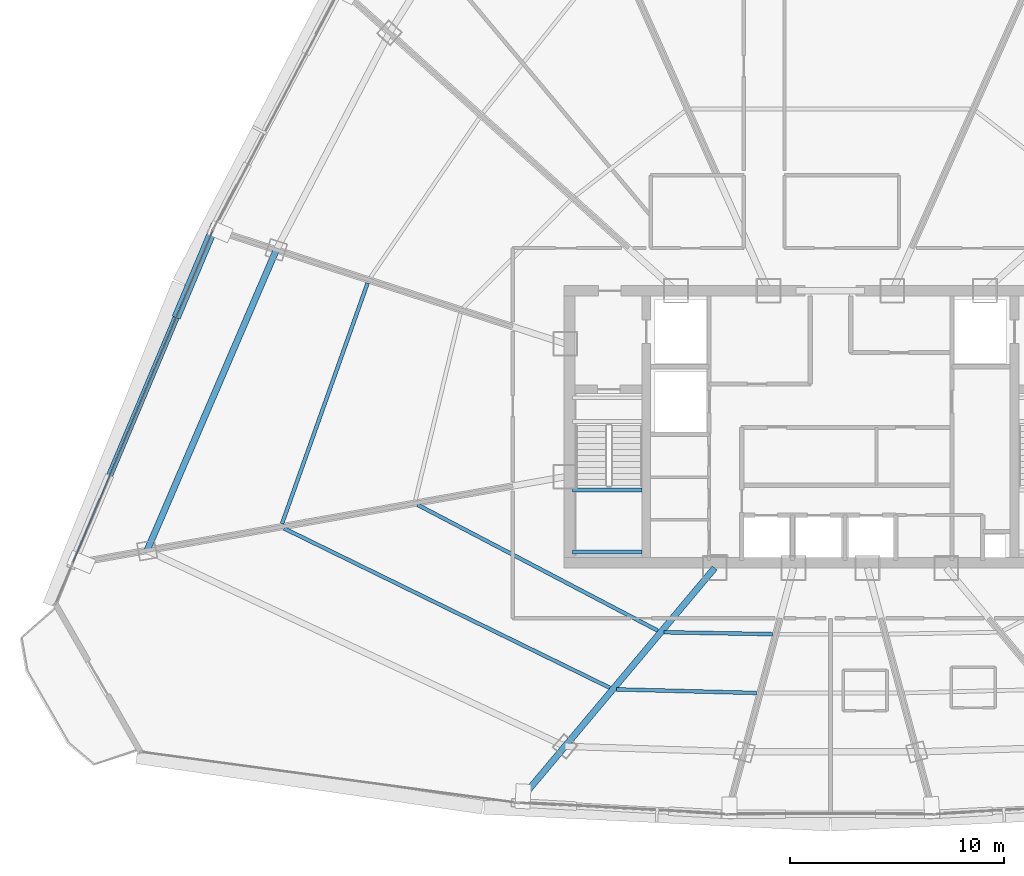
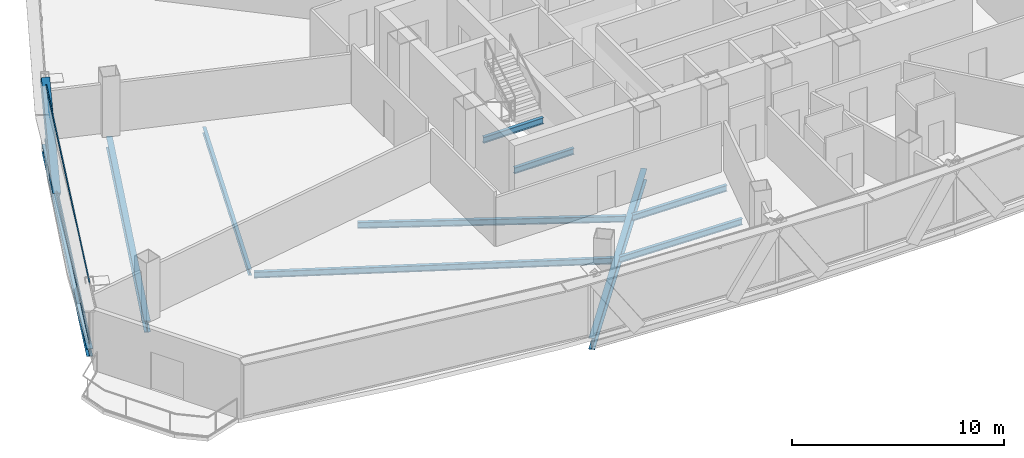
# One storey, part 7 of 35: 10 beams, 3 members, 1 element without a shape of its own.
"""IFC4 building model written with IfcOpenShell, lengths in metres."""

from ifc_helpers import new_model, si_unit, direction, frame, origin, origin_2d, place, context, subcontext, project, spatial, hollow_rectangle, i_section, extrude, source, transform, mapped, material, layer, layer_set, material_profile, profile_set, type_object, element, aggregate, save


model = new_model("IFC4")

# Units and contexts
model_context = context("Model", 3, precision=1e-05, world=origin(), true_north=direction((0.0, 1.0)))
body_context = subcontext(model_context, "Body", "Model", "MODEL_VIEW")
ifc_project = project(units=[si_unit("LENGTHUNIT", "METRE"), si_unit("AREAUNIT", "SQUARE_METRE"), si_unit("VOLUMEUNIT", "CUBIC_METRE"), si_unit("PLANEANGLEUNIT", "RADIAN"), si_unit("MASSUNIT", "GRAM", prefix="KILO"), si_unit("THERMODYNAMICTEMPERATUREUNIT", "KELVIN"), si_unit("POWERUNIT", "WATT")], contexts=[model_context])

# Site, building, storey
site_placement = place(None, origin())
site = spatial("IfcSite", under=ifc_project, at=site_placement, CompositionType="ELEMENT")
building_placement = place(site_placement, origin())
building = spatial("IfcBuilding", under=site, at=building_placement, Name="Yunzhuo Pagoda Commons", CompositionType="ELEMENT")
storey_placement = place(building_placement, frame((0.0, 0.0, 237.070068359375)))
storey = spatial("IfcBuildingStorey", under=building, at=storey_placement, Name="L59", CompositionType="ELEMENT", Elevation=237.070068359375)

# Beams
ifc_material_1 = material(Name="Structural steel Q355B", Category="steel")
ifc_material_profile_1 = material_profile(ifc_material_1, i_section(OverallWidth=0.175048828125, OverallDepth=0.35009765625, WebThickness=0.007080078125, FlangeThickness=0.010986328125, at=origin_2d()), Name="Structural steel Q355B")
ifc_profile_set_1 = profile_set([ifc_material_profile_1], Name="Structural steel Q355B")
beam_type_1 = type_object("IfcBeamType", Name="B-JS2 Joist HN 350x175x7x11", PredefinedType="JOIST", material=ifc_profile_set_1)
shared_shape_1 = source(origin(), body_context, "Body", "SweptSolid", [
    extrude(i_section(OverallWidth=0.175048828125, OverallDepth=0.35009765625, WebThickness=0.007080078125, FlangeThickness=0.010986328125, at=origin_2d()), origin(), (0.0, 0.0, 1.0), 3.25),
])
for number, where, z_axis, x_axis, name in (
    (1, (35.949951171875, 28.0, 1.489990234375), (1.0, 0.0, 0.0), (0.0, 1.0, 0.0), "L59 ST1 landing support beam 65A"),
    (2, (35.949951171875, 30.89990234375, 1.489990234375), (1.0, 0.0, 0.0), (0.0, 1.0, 0.0), "L59 ST1 landing support beam 65B"),
):
    element("IfcBeam", number, at=place(storey_placement, frame(where, z_axis=z_axis, x_axis=x_axis)), inside=storey, type_object=beam_type_1, Name=name, PredefinedType="JOIST", context=body_context, shape_type="MappedRepresentation", body=[
        mapped(shared_shape_1, transform((0.0, 0.0, 0.0), scale=1.0)),
    ])
ifc_material_profile_2 = material_profile(ifc_material_1, i_section(OverallWidth=0.300048828125, OverallDepth=0.43994140625, WebThickness=0.010986328125, FlangeThickness=0.01806640625, at=origin_2d()), Name="Structural steel Q355B")
ifc_profile_set_2 = profile_set([ifc_material_profile_2], Name="Structural steel Q355B")
beam_type_2 = type_object("IfcBeamType", Name="B-SP2 Beam HM 440x300x11x18", PredefinedType="BEAM", material=ifc_profile_set_2)
shared_shape_2 = source(origin(), body_context, "Body", "SweptSolid", [
    extrude(i_section(OverallWidth=0.300048828125, OverallDepth=0.43994140625, WebThickness=0.010986328125, FlangeThickness=0.01806640625, at=origin_2d()), origin(), (0.0, 0.0, 1.0), 16.947021484375),
])
beam_1_placement = place(storey_placement, frame((19.15576171875, 43.072265625, -0.47998046875), z_axis=(-0.388172279694, -0.921586827856, 0.0), x_axis=(0.921586827856, -0.388172279694, 0.0)))
element("IfcBeam", 3, at=beam_1_placement, inside=storey, type_object=beam_type_2, Name="L59 facade edge spandrel beam F3.3", PredefinedType="BEAM", context=body_context, shape_type="MappedRepresentation", body=[
    mapped(shared_shape_2, transform((0.0, 0.0, 0.0), scale=1.0)),
])
ifc_material_profile_3 = material_profile(ifc_material_1, i_section(OverallWidth=0.300048828125, OverallDepth=0.64990234375, WebThickness=0.012939453125, FlangeThickness=0.02197265625, at=origin_2d()), Name="Structural steel Q355B")
ifc_profile_set_3 = profile_set([ifc_material_profile_3], Name="Structural steel Q355B")
beam_type_3 = type_object("IfcBeamType", Name="B-RG2 Beam HN 650x300x13x22", PredefinedType="BEAM", material=ifc_profile_set_3)
shared_shape_3 = source(origin(), body_context, "Body", "SweptSolid", [
    extrude(i_section(OverallWidth=0.300048828125, OverallDepth=0.64990234375, WebThickness=0.012939453125, FlangeThickness=0.02197265625, at=origin_2d()), origin(), (0.0, 0.0, 1.0), 15.287841796875),
])
beam_2_placement = place(storey_placement, frame((22.101806640625, 42.114990234375, -0.5849609375), z_axis=(-0.394815333819, -0.918760497726, 0.0), x_axis=(0.918760497726, -0.394815333819, 0.0)))
element("IfcBeam", 4, at=beam_2_placement, inside=storey, type_object=beam_type_3, Name="L59 column-ring beam 11", PredefinedType="BEAM", context=body_context, shape_type="MappedRepresentation", body=[
    mapped(shared_shape_3, transform((0.0, 0.0, 0.0), scale=1.0)),
])
shared_shape_4 = source(origin(), body_context, "Body", "SweptSolid", [
    extrude(i_section(OverallWidth=0.300048828125, OverallDepth=0.64990234375, WebThickness=0.012939453125, FlangeThickness=0.02197265625, at=origin_2d()), origin(), (0.0, 0.0, 1.0), 14.174072265625),
])
beam_3_placement = place(storey_placement, frame((33.47705078125, 16.39208984375, -0.5849609375), z_axis=(0.642786427105, 0.766045435421, 0.0), x_axis=(-0.766045435421, 0.642786427105, 0.0)))
element("IfcBeam", 5, at=beam_3_placement, inside=storey, type_object=beam_type_3, Name="L59 radial floor girder F1C1", PredefinedType="BEAM", context=body_context, shape_type="MappedRepresentation", body=[
    mapped(shared_shape_4, transform((0.0, 0.0, 0.0), scale=1.0)),
])
shared_shape_5 = source(origin(), body_context, "Body", "SweptSolid", [
    extrude(i_section(OverallWidth=0.175048828125, OverallDepth=0.35009765625, WebThickness=0.007080078125, FlangeThickness=0.010986328125, at=origin_2d()), origin(), (0.0, 0.0, 1.0), 5.0556640625),
])
beam_4_placement = place(storey_placement, frame((40.228515625, 24.24609375, -0.43505859375), z_axis=(0.999848878561, -0.017384477, 0.0), x_axis=(0.017384477, 0.999848878561, 0.0)))
element("IfcBeam", 6, at=beam_4_placement, inside=storey, type_object=beam_type_1, Name="L59 composite ring joist 1.1", PredefinedType="JOIST", context=body_context, shape_type="MappedRepresentation", body=[
    mapped(shared_shape_5, transform((0.0, 0.0, 0.0), scale=1.0)),
])
shared_shape_6 = source(origin(), body_context, "Body", "SweptSolid", [
    extrude(i_section(OverallWidth=0.175048828125, OverallDepth=0.35009765625, WebThickness=0.007080078125, FlangeThickness=0.010986328125, at=origin_2d()), origin(), (0.0, 0.0, 1.0), 6.558349609375),
])
beam_5_placement = place(storey_placement, frame((37.990234375, 21.577392578125, -0.43505859375), z_axis=(0.99966910323, -0.025723220017, 0.0), x_axis=(0.025723220017, 0.99966910323, 0.0)))
element("IfcBeam", 7, at=beam_5_placement, inside=storey, type_object=beam_type_1, Name="L59 composite ring joist 2.1", PredefinedType="JOIST", context=body_context, shape_type="MappedRepresentation", body=[
    mapped(shared_shape_6, transform((0.0, 0.0, 0.0), scale=1.0)),
])
shared_shape_7 = source(origin(), body_context, "Body", "SweptSolid", [
    extrude(i_section(OverallWidth=0.175048828125, OverallDepth=0.35009765625, WebThickness=0.007080078125, FlangeThickness=0.010986328125, at=origin_2d()), origin(), (0.0, 0.0, 1.0), 12.666259765625),
])
beam_6_placement = place(storey_placement, frame((28.70849609375, 30.19970703125, -0.43505859375), z_axis=(0.885841344078, -0.463988268302, 0.0), x_axis=(0.463988268302, 0.885841344078, 0.0)))
element("IfcBeam", 8, at=beam_6_placement, inside=storey, type_object=beam_type_1, Name="L59 composite ring joist 1.12", PredefinedType="JOIST", context=body_context, shape_type="MappedRepresentation", body=[
    mapped(shared_shape_7, transform((0.0, 0.0, 0.0), scale=1.0)),
])
shared_shape_8 = source(origin(), body_context, "Body", "SweptSolid", [
    extrude(i_section(OverallWidth=0.175048828125, OverallDepth=0.35009765625, WebThickness=0.007080078125, FlangeThickness=0.010986328125, at=origin_2d()), origin(), (0.0, 0.0, 1.0), 16.95361328125),
])
beam_7_placement = place(storey_placement, frame((22.459716796875, 29.101806640625, -0.43505859375), z_axis=(0.898261717675, -0.439460904473, 0.0), x_axis=(0.439460904473, 0.898261717675, 0.0)))
element("IfcBeam", 9, at=beam_7_placement, inside=storey, type_object=beam_type_1, Name="L59 composite ring joist 2.12", PredefinedType="JOIST", context=body_context, shape_type="MappedRepresentation", body=[
    mapped(shared_shape_8, transform((0.0, 0.0, 0.0), scale=1.0)),
])
shared_shape_9 = source(origin(), body_context, "Body", "SweptSolid", [
    extrude(i_section(OverallWidth=0.175048828125, OverallDepth=0.35009765625, WebThickness=0.007080078125, FlangeThickness=0.010986328125, at=origin_2d()), origin(), (0.0, 0.0, 1.0), 11.929931640625),
])
beam_8_placement = place(storey_placement, frame((26.36767578125, 40.5615234375, -0.43505859375), z_axis=(-0.335086374925, -0.942187413066, 0.0), x_axis=(0.942187413066, -0.335086374925, 0.0)))
element("IfcBeam", 10, at=beam_8_placement, inside=storey, type_object=beam_type_1, Name="L59 composite ring joist 2.11", PredefinedType="JOIST", context=body_context, shape_type="MappedRepresentation", body=[
    mapped(shared_shape_9, transform((0.0, 0.0, 0.0), scale=1.0)),
])

# Member
ifc_material_profile_4 = material_profile(ifc_material_1, hollow_rectangle(XDim=0.39990234375, YDim=0.719970703125, WallThickness=0.02392578125, at=origin_2d()), Name="Structural steel Q355B")
ifc_profile_set_4 = profile_set([ifc_material_profile_4], Name="Structural steel Q355B")
member_type_1 = type_object("IfcMemberType", Name="M-DL2 Brace BOX 720x400x24", PredefinedType="BRACE", material=ifc_profile_set_4)
shared_shape_10 = source(origin(), body_context, "Body", "SweptSolid", [
    extrude(hollow_rectangle(XDim=0.39990234375, YDim=0.719970703125, WallThickness=0.02392578125, at=origin_2d()), origin(), (0.0, 0.0, 1.0), 5.64453125),
])
member_1_placement = place(storey_placement, frame((17.511474609375, 39.167724609375, -0.260009765625), z_axis=(0.291301008228, 0.691726358514, 0.660801307158), x_axis=(-0.921612594332, 0.388111100033, 0.0)))
element("IfcMember", 11, at=member_1_placement, inside=storey, type_object=member_type_1, Name="L59 facade diamond brace F3.3L", PredefinedType="BRACE", context=body_context, shape_type="MappedRepresentation", body=[
    mapped(shared_shape_10, transform((0.0, 0.0, 0.0), scale=1.0)),
])

# Curtain wall, members
ifc_material_2 = material(Name="Anodized aluminium 6063-T6", Category="aluminium")
ifc_layer = layer(ifc_material_2, 0.139892578125)
ifc_layer_set = layer_set([ifc_layer], Name="Anodized aluminium 6063-T6")
curtain_wall_type = type_object("IfcCurtainWallType", Name="CW-HI High-Zone Ribbon Curtain Wall", PredefinedType="NOTDEFINED", material=ifc_layer_set)
curtain_wall_placement = place(storey_placement, origin())
curtain_wall = element("IfcCurtainWall", 12, at=curtain_wall_placement, inside=storey, type_object=curtain_wall_type, Name="L59 curtain wall CW-L59-F3B4", PredefinedType="NOTDEFINED")
ifc_material_profile_5 = material_profile(ifc_material_2, hollow_rectangle(XDim=0.054931640625, YDim=0.1201171875, WallThickness=0.00341796875, at=origin_2d()), Name="Anodized aluminium 6063-T6")
ifc_profile_set_5 = profile_set([ifc_material_profile_5], Name="Anodized aluminium 6063-T6")
member_type_2 = type_object("IfcMemberType", Name="CW-HI-T Transom RHS 120x55x3.5", PredefinedType="USERDEFINED", material=ifc_profile_set_5)
shared_shape_11 = source(origin(), body_context, "Body", "SweptSolid", [
    extrude(hollow_rectangle(XDim=0.054931640625, YDim=0.1201171875, WallThickness=0.00341796875, at=origin_2d()), origin(), (0.0, 0.0, 1.0), 16.826904296875),
])
member_2_placement = place(storey_placement, frame((19.13232421875, 43.016845703125, 0.02734375), z_axis=(-0.388157536134, -0.921593037703, 0.0), x_axis=(0.921593037703, -0.388157536134, 0.0)))
member_2 = element("IfcMember", 13, at=member_2_placement, type_object=member_type_2, Name="CW transom 1.1", ObjectType="TRANSOM", PredefinedType="USERDEFINED", context=body_context, shape_type="MappedRepresentation", body=[
    mapped(shared_shape_11, transform((0.0, 0.0, 0.0), scale=1.0)),
])
member_3_placement = place(storey_placement, frame((19.13232421875, 43.016845703125, 3.4423828125), z_axis=(-0.388157536134, -0.921593037703, 0.0), x_axis=(0.921593037703, -0.388157536134, 0.0)))
member_3 = element("IfcMember", 14, at=member_3_placement, type_object=member_type_2, Name="CW transom 1.2", ObjectType="TRANSOM", PredefinedType="USERDEFINED", context=body_context, shape_type="MappedRepresentation", body=[
    mapped(shared_shape_11, transform((0.0, 0.0, 0.0), scale=1.0)),
])
aggregate(curtain_wall, [member_2, member_3])

save(model, "model.ifc")
